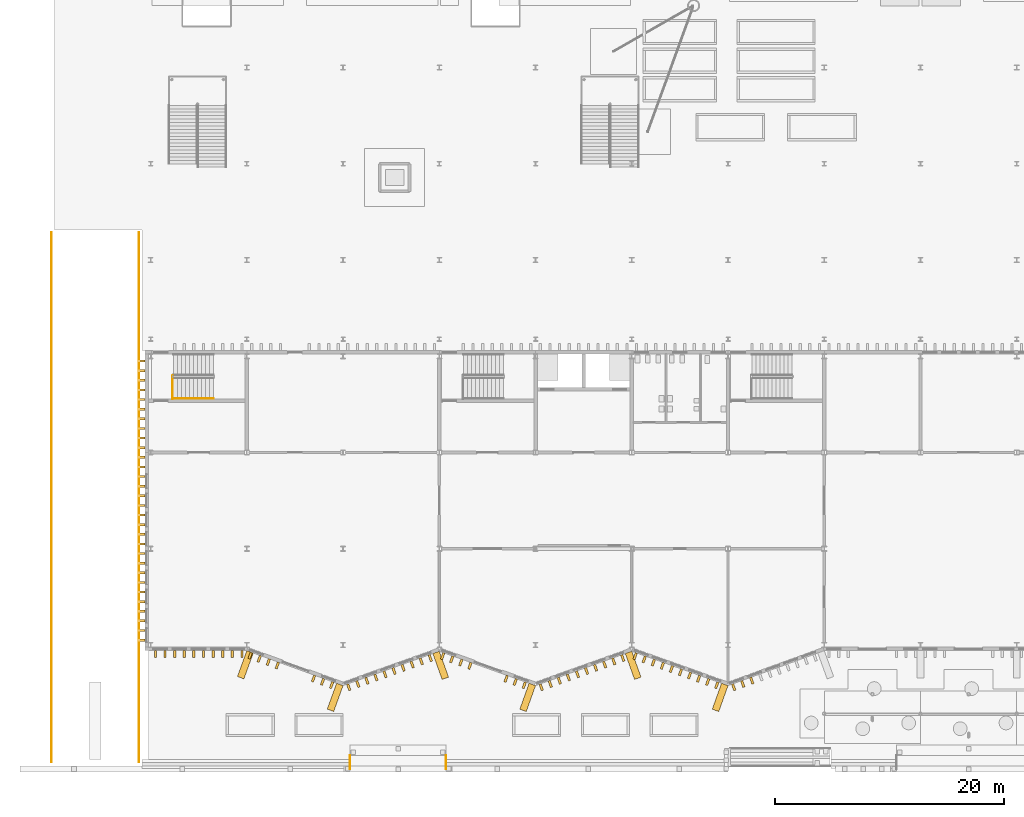
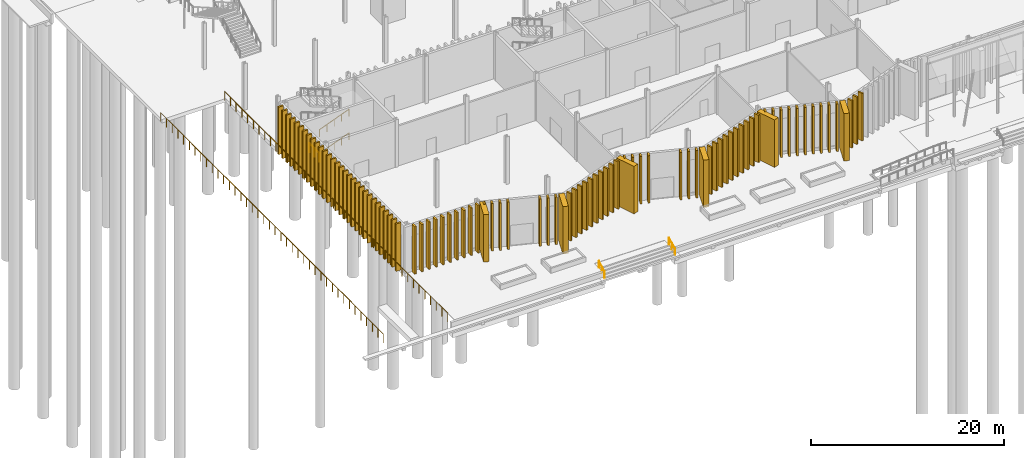
# One storey, part 86 of 108: 93 coverings, 7 railings.
"""IFC4 building model written with IfcOpenShell, lengths in metres."""

import ifcopenshell
import ifcopenshell.guid

model = None  # the IFC model being written
_history = None  # IfcOwnerHistory: only IFC2X3 demands one
_inside = {}  # id of a spatial element -> (the spatial element, [elements in it])
_under = {}  # id of a project, library or spatial element -> (it, [spatial elements below it])
_declared = {}  # id of a project -> (the project, [libraries it declares])
_typed = {}  # id of a type object -> (the type object, [elements of that type])
_made_of = {}  # id of a material, layer set ... -> (it, [elements and type objects made of it])


def new_model(schema):
    """Start an empty IFC model of exactly this schema.

    Asked for "IFC4X3", IfcOpenShell would pick the latest addendum, in which some entities
    have other attributes; the version numbers below select the first issue.
    IFC2X3 requires an IfcOwnerHistory on every rooted entity: one is made here for all.
    """
    global model, _history
    if schema == "IFC4X3":
        model = ifcopenshell.file(schema_version=(4, 3, 0, 0))
    else:
        model = ifcopenshell.file(schema=schema)
    _inside.clear()
    _under.clear()
    _declared.clear()
    _typed.clear()
    _made_of.clear()
    _history = None
    if model.schema == "IFC2X3":
        org = make("IfcOrganization", Name="unknown")
        user = make(
            "IfcPersonAndOrganization",
            ThePerson=make("IfcPerson", FamilyName="unknown"),
            TheOrganization=org,
        )
        app = make(
            "IfcApplication",
            ApplicationDeveloper=org,
            Version="unknown",
            ApplicationFullName="unknown",
            ApplicationIdentifier="unknown",
        )
        _history = make(
            "IfcOwnerHistory",
            OwningUser=user,
            OwningApplication=app,
            ChangeAction="ADDED",
            CreationDate=0,
        )
    return model


def make(cls, **values):
    """One entity of the class cls with the attributes given. An attribute that is None is left unset."""
    return model.create_entity(
        cls, **{name: value for name, value in values.items() if value is not None}
    )


def rooted(cls, **values):
    """An entity with a GlobalId (a new one), such as an element, a storey or a relation."""
    return make(cls, GlobalId=ifcopenshell.guid.new(), OwnerHistory=_history, **values)


def si_unit(unit_type, name, prefix=None):
    """IfcSIUnit, for example si_unit("LENGTHUNIT", "METRE", prefix="MILLI")."""
    return make("IfcSIUnit", UnitType=unit_type, Prefix=prefix, Name=name)


def assignment(units):
    """IfcUnitAssignment: the units of a project."""
    return None if units is None else make("IfcUnitAssignment", Units=units)


def point(xyz):
    """IfcCartesianPoint."""
    return None if xyz is None else make("IfcCartesianPoint", Coordinates=xyz)


def direction(xyz):
    """IfcDirection."""
    return None if xyz is None else make("IfcDirection", DirectionRatios=xyz)


def frame(location, z_axis=None, x_axis=None):
    """IfcAxis2Placement3D, a coordinate frame: its origin and axes. An axis left out is left unset."""
    return make(
        "IfcAxis2Placement3D",
        Location=point(location),
        Axis=direction(z_axis),
        RefDirection=direction(x_axis),
    )


def frame_2d(location, x_axis=None):
    """IfcAxis2Placement2D, a coordinate frame in the plane: its origin and x axis."""
    return make(
        "IfcAxis2Placement2D", Location=point(location), RefDirection=direction(x_axis)
    )


def origin():
    """The frame at (0, 0, 0) with its axes left unset."""
    return frame((0.0, 0.0, 0.0))


def origin_2d():
    """The frame at (0, 0) in the plane with its x axis left unset."""
    return frame_2d((0.0, 0.0))


def place(relative_to, where):
    """IfcLocalPlacement: puts the frame where relative to a parent placement (None: the world)."""
    return make(
        "IfcLocalPlacement", PlacementRelTo=relative_to, RelativePlacement=where
    )


def context(
    kind, dimensions, precision=None, world=None, true_north=None, identifier=None
):
    """IfcGeometricRepresentationContext, for example the 3D "Model" context."""
    return make(
        "IfcGeometricRepresentationContext",
        ContextIdentifier=identifier,
        ContextType=kind,
        CoordinateSpaceDimension=dimensions,
        Precision=precision,
        WorldCoordinateSystem=world,
        TrueNorth=true_north,
    )


def subcontext(parent, identifier, kind, view, scale=None):
    """IfcGeometricRepresentationSubContext, for example "Body" below "Model"."""
    return make(
        "IfcGeometricRepresentationSubContext",
        ContextIdentifier=identifier,
        ContextType=kind,
        ParentContext=parent,
        TargetScale=scale,
        TargetView=view,
    )


def project(units=None, contexts=None):
    """IfcProject with its units and contexts."""
    return rooted(
        "IfcProject",
        Name="project",
        RepresentationContexts=contexts,
        UnitsInContext=assignment(units),
    )


def spatial(cls, under=None, at=None, **own):
    """A site, building, storey or space (cls), placed at a placement, below another one or the project."""
    s = rooted(cls, ObjectPlacement=at, **own)
    if under is not None:
        _under.setdefault(under.id(), (under, []))[1].append(s)
    return s


def profile(cls, at=None, kind="AREA", **sizes):
    """A parametric profile (cls). Its sizes go by their IFC names, for example OverallWidth=200.0."""
    return make(cls, ProfileType=kind, Position=at, **sizes)


def rectangle(**sizes):
    """IfcRectangleProfileDef."""
    return profile("IfcRectangleProfileDef", **sizes)


def circle(**sizes):
    """IfcCircleProfileDef."""
    return profile("IfcCircleProfileDef", **sizes)


def extrude(swept, where, along, depth):
    """IfcExtrudedAreaSolid: the profile swept, set in the frame where, extruded along a direction by depth."""
    return make(
        "IfcExtrudedAreaSolid",
        SweptArea=swept,
        Position=where,
        ExtrudedDirection=direction(along),
        Depth=depth,
    )


def shape(context_of_items, identifier, shape_type, items):
    """IfcShapeRepresentation: the items that make up one representation, for example the "Body"."""
    return make(
        "IfcShapeRepresentation",
        ContextOfItems=context_of_items,
        RepresentationIdentifier=identifier,
        RepresentationType=shape_type,
        Items=items,
    )


def material(Name=None, Category=None):
    """IfcMaterial."""
    return make("IfcMaterial", Name=Name, Category=Category)


def made_of(thing, what):
    """Note that an element or type object is made of a material, layer set ...; save() writes the relation."""
    if what is not None:
        _made_of.setdefault(what.id(), (what, []))[1].append(thing)
    return thing


def type_object(cls, material=None, **own):
    """A type object (cls), such as IfcWallType, which elements share."""
    return made_of(rooted(cls, **own), material)


def element(
    cls,
    number,
    at=None,
    inside=None,
    cuts=None,
    type_object=None,
    material=None,
    context=None,
    identifier="Body",
    shape_type=None,
    held_by="IfcProductDefinitionShape",
    body=None,
    shapes=None,
    **own,
):
    """One element of the class cls, such as IfcWall. Its Tag is "e" and its number.

    at: its placement. inside: the storey or other place that contains it. cuts: it is an
    opening in that element (IfcRelVoidsElement). A single representation is given by context,
    identifier, shape_type and body (its items); several are given by shapes. held_by: the class
    of the entity that holds the representations. save() writes the other relations.
    """
    e = rooted(cls, Tag="e%d" % number, ObjectPlacement=at, **own)
    if body is not None:
        shapes = [shape(context, identifier, shape_type, body)]
    if shapes is not None:
        e.Representation = make(held_by, Representations=shapes)
    if inside is not None:
        _inside.setdefault(inside.id(), (inside, []))[1].append(e)
    if cuts is not None:
        rooted(
            "IfcRelVoidsElement", RelatingBuildingElement=cuts, RelatedOpeningElement=e
        )
    if type_object is not None:
        _typed.setdefault(type_object.id(), (type_object, []))[1].append(e)
    return made_of(e, material)


def aggregate(whole, parts):
    """IfcRelAggregates: a whole, such as a stair, and the parts it consists of."""
    return rooted("IfcRelAggregates", RelatingObject=whole, RelatedObjects=parts)


def save(model, path):
    """Write the relations noted so far, then the file.

    IfcRelAggregates (storeys below a building ...), IfcRelContainedInSpatialStructure (elements
    in a storey), IfcRelDefinesByType, IfcRelAssociatesMaterial and IfcRelDeclares: one each for
    every whole, place, type object, material and project.
    """
    for whole, parts in _under.values():
        aggregate(whole, parts)
    for where, things in _inside.values():
        rooted(
            "IfcRelContainedInSpatialStructure",
            RelatedElements=things,
            RelatingStructure=where,
        )
    for kind, things in _typed.values():
        rooted("IfcRelDefinesByType", RelatedObjects=things, RelatingType=kind)
    for what, things in _made_of.values():
        rooted("IfcRelAssociatesMaterial", RelatedObjects=things, RelatingMaterial=what)
    for by, libraries in _declared.values():
        rooted("IfcRelDeclares", RelatingContext=by, RelatedDefinitions=libraries)
    model.write(path)


model = new_model("IFC4")

# Units and contexts
model_context = context("Model", 3, precision=1e-05, world=origin(), true_north=direction((0.0, 1.0)))
body_context = subcontext(model_context, "Body", "Model", "MODEL_VIEW")
ifc_project = project(units=[si_unit("LENGTHUNIT", "METRE"), si_unit("AREAUNIT", "SQUARE_METRE"), si_unit("VOLUMEUNIT", "CUBIC_METRE"), si_unit("PLANEANGLEUNIT", "RADIAN"), si_unit("MASSUNIT", "GRAM", prefix="KILO")], contexts=[model_context])

# Site, building, storey
site_placement = place(None, origin())
site = spatial("IfcSite", under=ifc_project, at=site_placement, CompositionType="ELEMENT")
building_placement = place(site_placement, origin())
building = spatial("IfcBuilding", under=site, at=building_placement, Name="Cresset Court Congress Hotel", CompositionType="ELEMENT")
storey_placement = place(building_placement, origin())
storey = spatial("IfcBuildingStorey", under=building, at=storey_placement, Name="L00", CompositionType="ELEMENT", Elevation=0.0)

# Railings
ifc_material_1 = material(Name="Steel and laminated glass", Category="steel")
railing_type_1 = type_object("IfcRailingType", Name="Guard 1100 steel and glass", PredefinedType="GUARDRAIL", material=ifc_material_1)
railing_1_placement = place(storey_placement, frame((10.330078125, 21.449951171875, 0.0)))
element("IfcRailing", 1, at=railing_1_placement, inside=storey, type_object=railing_type_1, Name="L00 ST-B1 stair guard 9", PredefinedType="GUARDRAIL", context=body_context, shape_type="SweptSolid", body=[
    extrude(circle(Radius=0.02392578125, at=origin_2d()), frame((0.0, 0.0, 1.076171875), z_axis=(0.0, 1.0, 0.0), x_axis=(-1.0, 0.0, 0.0)), (0.0, 0.0, 1.0), 2.050048828125),
    extrude(circle(Radius=0.02099609375, at=origin_2d()), origin(), (0.0, 0.0, 1.0), 1.052001953125),
    extrude(circle(Radius=0.02099609375, at=origin_2d()), frame((0.0, 1.02490234375, 0.0)), (0.0, 0.0, 1.0), 1.052001953125),
    extrude(circle(Radius=0.02099609375, at=origin_2d()), frame((0.0, 2.050048828125, 0.0)), (0.0, 0.0, 1.0), 1.052001953125),
])
ifc_material_2 = material(Name="Galvanised steel", Category="steel")
railing_type_2 = type_object("IfcRailingType", Name="Guard 1100 steel balusters", PredefinedType="GUARDRAIL", material=ifc_material_2)
railing_2_placement = place(storey_placement, frame((-0.25, -10.199951171875, 0.0)))
element("IfcRailing", 2, at=railing_2_placement, inside=storey, type_object=railing_type_2, Name="Trench guard W", PredefinedType="GUARDRAIL", context=body_context, shape_type="SweptSolid", body=[
    extrude(circle(Radius=0.02490234375, at=origin_2d()), frame((0.0, 0.0, 1.0751953125), z_axis=(0.0, 1.0, 0.0), x_axis=(-1.0, 0.0, 0.0)), (0.0, 0.0, 1.0), 46.199951171875),
    extrude(circle(Radius=0.02001953125, at=origin_2d()), origin(), (0.0, 0.0, 1.0), 1.050048828125),
    extrude(circle(Radius=0.02001953125, at=origin_2d()), frame((0.0, 1.1845703125, 0.0)), (0.0, 0.0, 1.0), 1.050048828125),
    extrude(circle(Radius=0.02001953125, at=origin_2d()), frame((0.0, 2.369140625, 0.0)), (0.0, 0.0, 1.0), 1.050048828125),
    extrude(circle(Radius=0.02001953125, at=origin_2d()), frame((0.0, 3.553955078125, 0.0)), (0.0, 0.0, 1.0), 1.050048828125),
    extrude(circle(Radius=0.02001953125, at=origin_2d()), frame((0.0, 4.738525390625, 0.0)), (0.0, 0.0, 1.0), 1.050048828125),
    extrude(circle(Radius=0.02001953125, at=origin_2d()), frame((0.0, 5.923095703125, 0.0)), (0.0, 0.0, 1.0), 1.050048828125),
    extrude(circle(Radius=0.02001953125, at=origin_2d()), frame((0.0, 7.107666015625, 0.0)), (0.0, 0.0, 1.0), 1.050048828125),
    extrude(circle(Radius=0.02001953125, at=origin_2d()), frame((0.0, 8.292236328125, 0.0)), (0.0, 0.0, 1.0), 1.050048828125),
    extrude(circle(Radius=0.02001953125, at=origin_2d()), frame((0.0, 9.476806640625, 0.0)), (0.0, 0.0, 1.0), 1.050048828125),
    extrude(circle(Radius=0.02001953125, at=origin_2d()), frame((0.0, 10.66162109375, 0.0)), (0.0, 0.0, 1.0), 1.050048828125),
    extrude(circle(Radius=0.02001953125, at=origin_2d()), frame((0.0, 11.84619140625, 0.0)), (0.0, 0.0, 1.0), 1.050048828125),
    extrude(circle(Radius=0.02001953125, at=origin_2d()), frame((0.0, 13.03076171875, 0.0)), (0.0, 0.0, 1.0), 1.050048828125),
    extrude(circle(Radius=0.02001953125, at=origin_2d()), frame((0.0, 14.21533203125, 0.0)), (0.0, 0.0, 1.0), 1.050048828125),
    extrude(circle(Radius=0.02001953125, at=origin_2d()), frame((0.0, 15.39990234375, 0.0)), (0.0, 0.0, 1.0), 1.050048828125),
    extrude(circle(Radius=0.02001953125, at=origin_2d()), frame((0.0, 16.584716796875, 0.0)), (0.0, 0.0, 1.0), 1.050048828125),
    extrude(circle(Radius=0.02001953125, at=origin_2d()), frame((0.0, 17.769287109375, 0.0)), (0.0, 0.0, 1.0), 1.050048828125),
    extrude(circle(Radius=0.02001953125, at=origin_2d()), frame((0.0, 18.953857421875, 0.0)), (0.0, 0.0, 1.0), 1.050048828125),
    extrude(circle(Radius=0.02001953125, at=origin_2d()), frame((0.0, 20.138427734375, 0.0)), (0.0, 0.0, 1.0), 1.050048828125),
    extrude(circle(Radius=0.02001953125, at=origin_2d()), frame((0.0, 21.322998046875, 0.0)), (0.0, 0.0, 1.0), 1.050048828125),
    extrude(circle(Radius=0.02001953125, at=origin_2d()), frame((0.0, 22.507568359375, 0.0)), (0.0, 0.0, 1.0), 1.050048828125),
    extrude(circle(Radius=0.02001953125, at=origin_2d()), frame((0.0, 23.6923828125, 0.0)), (0.0, 0.0, 1.0), 1.050048828125),
    extrude(circle(Radius=0.02001953125, at=origin_2d()), frame((0.0, 24.876953125, 0.0)), (0.0, 0.0, 1.0), 1.050048828125),
    extrude(circle(Radius=0.02001953125, at=origin_2d()), frame((0.0, 26.0615234375, 0.0)), (0.0, 0.0, 1.0), 1.050048828125),
    extrude(circle(Radius=0.02001953125, at=origin_2d()), frame((0.0, 27.24609375, 0.0)), (0.0, 0.0, 1.0), 1.050048828125),
    extrude(circle(Radius=0.02001953125, at=origin_2d()), frame((0.0, 28.4306640625, 0.0)), (0.0, 0.0, 1.0), 1.050048828125),
    extrude(circle(Radius=0.02001953125, at=origin_2d()), frame((0.0, 29.615234375, 0.0)), (0.0, 0.0, 1.0), 1.050048828125),
    extrude(circle(Radius=0.02001953125, at=origin_2d()), frame((0.0, 30.800048828125, 0.0)), (0.0, 0.0, 1.0), 1.050048828125),
    extrude(circle(Radius=0.02001953125, at=origin_2d()), frame((0.0, 31.984619140625, 0.0)), (0.0, 0.0, 1.0), 1.050048828125),
    extrude(circle(Radius=0.02001953125, at=origin_2d()), frame((0.0, 33.169189453125, 0.0)), (0.0, 0.0, 1.0), 1.050048828125),
    extrude(circle(Radius=0.02001953125, at=origin_2d()), frame((0.0, 34.353759765625, 0.0)), (0.0, 0.0, 1.0), 1.050048828125),
    extrude(circle(Radius=0.02001953125, at=origin_2d()), frame((0.0, 35.538330078125, 0.0)), (0.0, 0.0, 1.0), 1.050048828125),
    extrude(circle(Radius=0.02001953125, at=origin_2d()), frame((0.0, 36.72314453125, 0.0)), (0.0, 0.0, 1.0), 1.050048828125),
    extrude(circle(Radius=0.02001953125, at=origin_2d()), frame((0.0, 37.90771484375, 0.0)), (0.0, 0.0, 1.0), 1.050048828125),
    extrude(circle(Radius=0.02001953125, at=origin_2d()), frame((0.0, 39.09228515625, 0.0)), (0.0, 0.0, 1.0), 1.050048828125),
    extrude(circle(Radius=0.02001953125, at=origin_2d()), frame((0.0, 40.27685546875, 0.0)), (0.0, 0.0, 1.0), 1.050048828125),
    extrude(circle(Radius=0.02001953125, at=origin_2d()), frame((0.0, 41.46142578125, 0.0)), (0.0, 0.0, 1.0), 1.050048828125),
    extrude(circle(Radius=0.02001953125, at=origin_2d()), frame((0.0, 42.64599609375, 0.0)), (0.0, 0.0, 1.0), 1.050048828125),
    extrude(circle(Radius=0.02001953125, at=origin_2d()), frame((0.0, 43.830810546875, 0.0)), (0.0, 0.0, 1.0), 1.050048828125),
    extrude(circle(Radius=0.02001953125, at=origin_2d()), frame((0.0, 45.015380859375, 0.0)), (0.0, 0.0, 1.0), 1.050048828125),
    extrude(circle(Radius=0.02001953125, at=origin_2d()), frame((0.0, 46.199951171875, 0.0)), (0.0, 0.0, 1.0), 1.050048828125),
])
railing_3_placement = place(storey_placement, frame((7.39990234375, -10.199951171875, 0.0)))
element("IfcRailing", 3, at=railing_3_placement, inside=storey, type_object=railing_type_2, Name="Trench guard E", PredefinedType="GUARDRAIL", context=body_context, shape_type="SweptSolid", body=[
    extrude(circle(Radius=0.02490234375, at=origin_2d()), frame((0.0, 0.0, 1.0751953125), z_axis=(0.0, 1.0, 0.0), x_axis=(-1.0, 0.0, 0.0)), (0.0, 0.0, 1.0), 46.199951171875),
    extrude(circle(Radius=0.02001953125, at=origin_2d()), origin(), (0.0, 0.0, 1.0), 1.050048828125),
    extrude(circle(Radius=0.02001953125, at=origin_2d()), frame((0.0, 1.1845703125, 0.0)), (0.0, 0.0, 1.0), 1.050048828125),
    extrude(circle(Radius=0.02001953125, at=origin_2d()), frame((0.0, 2.369140625, 0.0)), (0.0, 0.0, 1.0), 1.050048828125),
    extrude(circle(Radius=0.02001953125, at=origin_2d()), frame((0.0, 3.553955078125, 0.0)), (0.0, 0.0, 1.0), 1.050048828125),
    extrude(circle(Radius=0.02001953125, at=origin_2d()), frame((0.0, 4.738525390625, 0.0)), (0.0, 0.0, 1.0), 1.050048828125),
    extrude(circle(Radius=0.02001953125, at=origin_2d()), frame((0.0, 5.923095703125, 0.0)), (0.0, 0.0, 1.0), 1.050048828125),
    extrude(circle(Radius=0.02001953125, at=origin_2d()), frame((0.0, 7.107666015625, 0.0)), (0.0, 0.0, 1.0), 1.050048828125),
    extrude(circle(Radius=0.02001953125, at=origin_2d()), frame((0.0, 8.292236328125, 0.0)), (0.0, 0.0, 1.0), 1.050048828125),
    extrude(circle(Radius=0.02001953125, at=origin_2d()), frame((0.0, 9.476806640625, 0.0)), (0.0, 0.0, 1.0), 1.050048828125),
    extrude(circle(Radius=0.02001953125, at=origin_2d()), frame((0.0, 10.66162109375, 0.0)), (0.0, 0.0, 1.0), 1.050048828125),
    extrude(circle(Radius=0.02001953125, at=origin_2d()), frame((0.0, 11.84619140625, 0.0)), (0.0, 0.0, 1.0), 1.050048828125),
    extrude(circle(Radius=0.02001953125, at=origin_2d()), frame((0.0, 13.03076171875, 0.0)), (0.0, 0.0, 1.0), 1.050048828125),
    extrude(circle(Radius=0.02001953125, at=origin_2d()), frame((0.0, 14.21533203125, 0.0)), (0.0, 0.0, 1.0), 1.050048828125),
    extrude(circle(Radius=0.02001953125, at=origin_2d()), frame((0.0, 15.39990234375, 0.0)), (0.0, 0.0, 1.0), 1.050048828125),
    extrude(circle(Radius=0.02001953125, at=origin_2d()), frame((0.0, 16.584716796875, 0.0)), (0.0, 0.0, 1.0), 1.050048828125),
    extrude(circle(Radius=0.02001953125, at=origin_2d()), frame((0.0, 17.769287109375, 0.0)), (0.0, 0.0, 1.0), 1.050048828125),
    extrude(circle(Radius=0.02001953125, at=origin_2d()), frame((0.0, 18.953857421875, 0.0)), (0.0, 0.0, 1.0), 1.050048828125),
    extrude(circle(Radius=0.02001953125, at=origin_2d()), frame((0.0, 20.138427734375, 0.0)), (0.0, 0.0, 1.0), 1.050048828125),
    extrude(circle(Radius=0.02001953125, at=origin_2d()), frame((0.0, 21.322998046875, 0.0)), (0.0, 0.0, 1.0), 1.050048828125),
    extrude(circle(Radius=0.02001953125, at=origin_2d()), frame((0.0, 22.507568359375, 0.0)), (0.0, 0.0, 1.0), 1.050048828125),
    extrude(circle(Radius=0.02001953125, at=origin_2d()), frame((0.0, 23.6923828125, 0.0)), (0.0, 0.0, 1.0), 1.050048828125),
    extrude(circle(Radius=0.02001953125, at=origin_2d()), frame((0.0, 24.876953125, 0.0)), (0.0, 0.0, 1.0), 1.050048828125),
    extrude(circle(Radius=0.02001953125, at=origin_2d()), frame((0.0, 26.0615234375, 0.0)), (0.0, 0.0, 1.0), 1.050048828125),
    extrude(circle(Radius=0.02001953125, at=origin_2d()), frame((0.0, 27.24609375, 0.0)), (0.0, 0.0, 1.0), 1.050048828125),
    extrude(circle(Radius=0.02001953125, at=origin_2d()), frame((0.0, 28.4306640625, 0.0)), (0.0, 0.0, 1.0), 1.050048828125),
    extrude(circle(Radius=0.02001953125, at=origin_2d()), frame((0.0, 29.615234375, 0.0)), (0.0, 0.0, 1.0), 1.050048828125),
    extrude(circle(Radius=0.02001953125, at=origin_2d()), frame((0.0, 30.800048828125, 0.0)), (0.0, 0.0, 1.0), 1.050048828125),
    extrude(circle(Radius=0.02001953125, at=origin_2d()), frame((0.0, 31.984619140625, 0.0)), (0.0, 0.0, 1.0), 1.050048828125),
    extrude(circle(Radius=0.02001953125, at=origin_2d()), frame((0.0, 33.169189453125, 0.0)), (0.0, 0.0, 1.0), 1.050048828125),
    extrude(circle(Radius=0.02001953125, at=origin_2d()), frame((0.0, 34.353759765625, 0.0)), (0.0, 0.0, 1.0), 1.050048828125),
    extrude(circle(Radius=0.02001953125, at=origin_2d()), frame((0.0, 35.538330078125, 0.0)), (0.0, 0.0, 1.0), 1.050048828125),
    extrude(circle(Radius=0.02001953125, at=origin_2d()), frame((0.0, 36.72314453125, 0.0)), (0.0, 0.0, 1.0), 1.050048828125),
    extrude(circle(Radius=0.02001953125, at=origin_2d()), frame((0.0, 37.90771484375, 0.0)), (0.0, 0.0, 1.0), 1.050048828125),
    extrude(circle(Radius=0.02001953125, at=origin_2d()), frame((0.0, 39.09228515625, 0.0)), (0.0, 0.0, 1.0), 1.050048828125),
    extrude(circle(Radius=0.02001953125, at=origin_2d()), frame((0.0, 40.27685546875, 0.0)), (0.0, 0.0, 1.0), 1.050048828125),
    extrude(circle(Radius=0.02001953125, at=origin_2d()), frame((0.0, 41.46142578125, 0.0)), (0.0, 0.0, 1.0), 1.050048828125),
    extrude(circle(Radius=0.02001953125, at=origin_2d()), frame((0.0, 42.64599609375, 0.0)), (0.0, 0.0, 1.0), 1.050048828125),
    extrude(circle(Radius=0.02001953125, at=origin_2d()), frame((0.0, 43.830810546875, 0.0)), (0.0, 0.0, 1.0), 1.050048828125),
    extrude(circle(Radius=0.02001953125, at=origin_2d()), frame((0.0, 45.015380859375, 0.0)), (0.0, 0.0, 1.0), 1.050048828125),
    extrude(circle(Radius=0.02001953125, at=origin_2d()), frame((0.0, 46.199951171875, 0.0)), (0.0, 0.0, 1.0), 1.050048828125),
])
ifc_material_3 = material(Name="Stainless steel", Category="steel")
railing_type_3 = type_object("IfcRailingType", Name="Handrail 48 stainless", PredefinedType="HANDRAIL", material=ifc_material_3)
for number, where, name in (
    (4, (10.3798828125, 21.5, 0.136474609375), "L00 ST-B1 stair handrail 1"),
    (5, (10.3798828125, 21.5, 3.136474609375), "L00 ST-B1 stair handrail 3"),
):
    element("IfcRailing", number, at=place(storey_placement, frame(where)), inside=storey, type_object=railing_type_3, Name=name, PredefinedType="HANDRAIL", context=body_context, shape_type="SweptSolid", body=[
        extrude(circle(Radius=0.02392578125, at=origin_2d()), frame((0.0, 0.0, 0.8759765625), z_axis=(0.931787385211, 0.0, 0.3630045024), x_axis=(0.0, 1.0, 0.0)), (0.0, 0.0, 1.0), 3.756103515625),
        extrude(circle(Radius=0.02099609375, at=origin_2d()), origin(), (0.0, 0.0, 1.0), 0.851806640625),
        extrude(circle(Radius=0.02099609375, at=origin_2d()), frame((0.875, 0.0, 0.3408203125)), (0.0, 0.0, 1.0), 0.851806640625),
        extrude(circle(Radius=0.02099609375, at=origin_2d()), frame((1.75, 0.0, 0.681640625)), (0.0, 0.0, 1.0), 0.851806640625),
        extrude(circle(Radius=0.02099609375, at=origin_2d()), frame((2.625, 0.0, 1.022705078125)), (0.0, 0.0, 1.0), 0.851806640625),
        extrude(circle(Radius=0.02099609375, at=origin_2d()), frame((3.5, 0.0, 1.363525390625)), (0.0, 0.0, 1.0), 0.851806640625),
    ])
ifc_material_4 = material(Name="Stainless steel", Category="steel")
railing_type_4 = type_object("IfcRailingType", Name="Handrail 900 steel", PredefinedType="HANDRAIL", material=ifc_material_4)
for number, where, name in (
    (6, (25.800048828125, -10.85009765625, -0.60009765625), "Handrail S01L"),
    (7, (34.199951171875, -10.85009765625, -0.60009765625), "Handrail S01R"),
):
    element("IfcRailing", number, at=place(storey_placement, frame(where)), inside=storey, type_object=railing_type_4, Name=name, PredefinedType="HANDRAIL", context=body_context, shape_type="SweptSolid", body=[
        extrude(circle(Radius=0.02490234375, at=origin_2d()), frame((0.0, 0.0, 0.875), z_axis=(0.0, 0.894427191, 0.4472135955), x_axis=(-1.0, 0.0, 0.0)), (0.0, 0.0, 1.0), 1.341796875),
        extrude(circle(Radius=0.02001953125, at=origin_2d()), origin(), (0.0, 0.0, 1.0), 0.849853515625),
        extrude(circle(Radius=0.02001953125, at=origin_2d()), frame((0.0, 0.60009765625, 0.300048828125)), (0.0, 0.0, 1.0), 0.849853515625),
        extrude(circle(Radius=0.02001953125, at=origin_2d()), frame((0.0, 1.2001953125, 0.60009765625)), (0.0, 0.0, 1.0), 0.849853515625),
    ])

# Coverings
ifc_material_5 = material(Name="Precast concrete C50", Category="concrete")
covering_type_1 = type_object("IfcCoveringType", Name="Precast stone fin 200x600 variant 1", PredefinedType="CLADDING", material=ifc_material_5)
for number, where, z_axis, x_axis, name in (
    (8, (17.09228515625, -0.92529296875, 0.0), (0.0, 0.0, 1.0), (0.939956783309, -0.341293488819, 0.0), "Fin S00-010"),
    (9, (17.8818359375, -1.2119140625, 0.0), (0.0, 0.0, 1.0), (0.939956783309, -0.341293488819, 0.0), "Fin S00-011"),
    (10, (18.671630859375, -1.498779296875, 0.0), (0.0, 0.0, 1.0), (0.939956783309, -0.341293488819, 0.0), "Fin S00-012"),
    (11, (19.461181640625, -1.785400390625, 0.0), (0.0, 0.0, 1.0), (0.939956783309, -0.341293488819, 0.0), "Fin S00-013"),
    (12, (22.619384765625, -2.93212890625, 0.0), (0.0, 0.0, 1.0), (0.939956783309, -0.341293488819, 0.0), "Fin S00-017"),
    (13, (23.408935546875, -3.21875, 0.0), (0.0, 0.0, 1.0), (0.939956783309, -0.341293488819, 0.0), "Fin S00-018"),
    (14, (24.198486328125, -3.505615234375, 0.0), (0.0, 0.0, 1.0), (0.939956783309, -0.341293488819, 0.0), "Fin S00-019"),
    (15, (25.696533203125, -3.691162109375, 0.0), (0.0, 0.0, 1.0), (0.94174205282, 0.336336001568, 0.0), "Fin S00-020"),
    (16, (26.487548828125, -3.40869140625, 0.0), (0.0, 0.0, 1.0), (0.94174205282, 0.336336001568, 0.0), "Fin S00-021"),
    (17, (27.278564453125, -3.126220703125, 0.0), (0.0, 0.0, 1.0), (0.94174205282, 0.336336001568, 0.0), "Fin S00-022"),
    (18, (28.069580078125, -2.84375, 0.0), (0.0, 0.0, 1.0), (0.94174205282, 0.336336001568, 0.0), "Fin S00-023"),
    (19, (28.860595703125, -2.561279296875, 0.0), (0.0, 0.0, 1.0), (0.94174205282, 0.336336001568, 0.0), "Fin S00-024"),
    (20, (29.65185546875, -2.278564453125, 0.0), (0.0, 0.0, 1.0), (0.94174205282, 0.336336001568, 0.0), "Fin S00-025"),
    (21, (30.44287109375, -1.99609375, 0.0), (0.0, 0.0, 1.0), (0.94174205282, 0.336336001568, 0.0), "Fin S00-026"),
    (22, (31.23388671875, -1.713623046875, 0.0), (0.0, 0.0, 1.0), (0.94174205282, 0.336336001568, 0.0), "Fin S00-027"),
    (23, (32.02490234375, -1.43115234375, 0.0), (0.0, 0.0, 1.0), (0.94174205282, 0.336336001568, 0.0), "Fin S00-028"),
    (24, (32.81591796875, -1.1484375, 0.0), (0.0, 0.0, 1.0), (0.94174205282, 0.336336001568, 0.0), "Fin S00-029"),
    (25, (33.89453125, -0.973876953125, 0.0), (0.0, 0.0, 1.0), (0.94174205282, -0.336336001568, 0.0), "Fin S00-030"),
    (26, (34.685791015625, -1.25634765625, 0.0), (0.0, 0.0, 1.0), (0.94174205282, -0.336336001568, 0.0), "Fin S00-031"),
    (27, (35.476806640625, -1.538818359375, 0.0), (0.0, 0.0, 1.0), (0.94174205282, -0.336336001568, 0.0), "Fin S00-032"),
    (28, (36.267822265625, -1.8212890625, 0.0), (0.0, 0.0, 1.0), (0.94174205282, -0.336336001568, 0.0), "Fin S00-033"),
    (29, (39.43212890625, -2.951416015625, 0.0), (0.0, 0.0, 1.0), (0.94174205282, -0.336336001568, 0.0), "Fin S00-037"),
    (30, (40.22314453125, -3.23388671875, 0.0), (0.0, 0.0, 1.0), (0.94174205282, -0.336336001568, 0.0), "Fin S00-038"),
    (31, (41.01416015625, -3.5166015625, 0.0), (0.0, 0.0, 1.0), (0.94174205282, -0.336336001568, 0.0), "Fin S00-039"),
    (32, (42.496337890625, -3.691162109375, 0.0), (0.0, 0.0, 1.0), (0.94174205282, 0.336336001568, 0.0), "Fin S00-040"),
    (33, (43.28759765625, -3.40869140625, 0.0), (0.0, 0.0, 1.0), (0.94174205282, 0.336336001568, 0.0), "Fin S00-041"),
    (34, (44.07861328125, -3.126220703125, 0.0), (0.0, 0.0, 1.0), (0.94174205282, 0.336336001568, 0.0), "Fin S00-042"),
    (35, (44.86962890625, -2.84375, 0.0), (0.0, 0.0, 1.0), (0.94174205282, 0.336336001568, 0.0), "Fin S00-043"),
    (36, (45.66064453125, -2.561279296875, 0.0), (0.0, 0.0, 1.0), (0.94174205282, 0.336336001568, 0.0), "Fin S00-044"),
    (37, (46.45166015625, -2.278564453125, 0.0), (0.0, 0.0, 1.0), (0.94174205282, 0.336336001568, 0.0), "Fin S00-045"),
    (38, (47.242919921875, -1.99609375, 0.0), (0.0, 0.0, 1.0), (0.94174205282, 0.336336001568, 0.0), "Fin S00-046"),
    (39, (48.033935546875, -1.713623046875, 0.0), (0.0, 0.0, 1.0), (0.94174205282, 0.336336001568, 0.0), "Fin S00-047"),
    (40, (48.824951171875, -1.43115234375, 0.0), (0.0, 0.0, 1.0), (0.94174205282, 0.336336001568, 0.0), "Fin S00-048"),
    (41, (49.615966796875, -1.1484375, 0.0), (0.0, 0.0, 1.0), (0.94174205282, 0.336336001568, 0.0), "Fin S00-049"),
    (42, (50.694580078125, -0.973876953125, 0.0), (0.0, 0.0, 1.0), (0.94174205282, -0.336336001568, 0.0), "Fin S00-050"),
    (43, (51.485595703125, -1.25634765625, 0.0), (0.0, 0.0, 1.0), (0.94174205282, -0.336336001568, 0.0), "Fin S00-051"),
    (44, (52.27685546875, -1.538818359375, 0.0), (0.0, 0.0, 1.0), (0.94174205282, -0.336336001568, 0.0), "Fin S00-052"),
    (45, (53.06787109375, -1.8212890625, 0.0), (0.0, 0.0, 1.0), (0.94174205282, -0.336336001568, 0.0), "Fin S00-053"),
    (46, (53.85888671875, -2.103759765625, 0.0), (0.0, 0.0, 1.0), (0.94174205282, -0.336336001568, 0.0), "Fin S00-054"),
    (47, (54.64990234375, -2.386474609375, 0.0), (0.0, 0.0, 1.0), (0.94174205282, -0.336336001568, 0.0), "Fin S00-055"),
    (48, (55.44091796875, -2.6689453125, 0.0), (0.0, 0.0, 1.0), (0.94174205282, -0.336336001568, 0.0), "Fin S00-056"),
    (49, (56.232177734375, -2.951416015625, 0.0), (0.0, 0.0, 1.0), (0.94174205282, -0.336336001568, 0.0), "Fin S00-057"),
    (50, (57.023193359375, -3.23388671875, 0.0), (0.0, 0.0, 1.0), (0.94174205282, -0.336336001568, 0.0), "Fin S00-058"),
    (51, (57.814208984375, -3.5166015625, 0.0), (0.0, 0.0, 1.0), (0.94174205282, -0.336336001568, 0.0), "Fin S00-059"),
    (52, (59.297119140625, -3.688720703125, 0.0), (0.0, 0.0, 1.0), (0.939956783309, 0.341293488819, 0.0), "Fin S00-060"),
    (53, (60.086669921875, -3.40185546875, 0.0), (0.0, 0.0, 1.0), (0.939956783309, 0.341293488819, 0.0), "Fin S00-061"),
    (54, (60.876220703125, -3.115234375, 0.0), (0.0, 0.0, 1.0), (0.939956783309, 0.341293488819, 0.0), "Fin S00-062"),
    (55, (8.820068359375, -0.800048828125, 0.0), (0.0, 0.0, 1.0), (1.0, 0.0, 0.0), "Fin S00-000"),
    (56, (9.659912109375, -0.800048828125, 0.0), (0.0, 0.0, 1.0), (1.0, 0.0, 0.0), "Fin S00-001"),
    (57, (10.5, -0.800048828125, 0.0), (0.0, 0.0, 1.0), (1.0, 0.0, 0.0), "Fin S00-002"),
    (58, (11.340087890625, -0.800048828125, 0.0), (0.0, 0.0, 1.0), (1.0, 0.0, 0.0), "Fin S00-003"),
    (59, (12.179931640625, -0.800048828125, 0.0), (0.0, 0.0, 1.0), (1.0, 0.0, 0.0), "Fin S00-004"),
    (60, (13.02001953125, -0.800048828125, 0.0), (0.0, 0.0, 1.0), (1.0, 0.0, 0.0), "Fin S00-005"),
    (61, (13.860107421875, -0.800048828125, 0.0), (0.0, 0.0, 1.0), (1.0, 0.0, 0.0), "Fin S00-006"),
    (62, (14.699951171875, -0.800048828125, 0.0), (0.0, 0.0, 1.0), (1.0, 0.0, 0.0), "Fin S00-007"),
    (63, (15.5400390625, -0.800048828125, 0.0), (0.0, 0.0, 1.0), (1.0, 0.0, 0.0), "Fin S00-008"),
    (64, (16.3798828125, -0.800048828125, 0.0), (0.0, 0.0, 1.0), (1.0, 0.0, 0.0), "Fin S00-009"),
):
    element("IfcCovering", number, at=place(storey_placement, frame(where, z_axis=z_axis, x_axis=x_axis)), inside=storey, type_object=covering_type_1, Name=name, PredefinedType="CLADDING", context=body_context, shape_type="SweptSolid", body=[
        extrude(rectangle(XDim=0.199951171875, YDim=0.60009765625, at=origin_2d()), origin(), (0.0, 0.0, 1.0), 6.0),
    ])
for number, where, z_axis, x_axis, name in (
    (65, (7.60009765625, 0.419921875, 0.0), (0.0, 0.0, 1.0), (1.0, 0.0, 0.0), "Fin W00-000"),
    (66, (7.60009765625, 1.260009765625, 0.0), (0.0, 0.0, 1.0), (1.0, 0.0, 0.0), "Fin W00-001"),
    (67, (7.60009765625, 2.10009765625, 0.0), (0.0, 0.0, 1.0), (1.0, 0.0, 0.0), "Fin W00-002"),
    (68, (7.60009765625, 2.93994140625, 0.0), (0.0, 0.0, 1.0), (1.0, 0.0, 0.0), "Fin W00-003"),
    (69, (7.60009765625, 3.780029296875, 0.0), (0.0, 0.0, 1.0), (1.0, 0.0, 0.0), "Fin W00-004"),
    (70, (7.60009765625, 4.6201171875, 0.0), (0.0, 0.0, 1.0), (1.0, 0.0, 0.0), "Fin W00-005"),
    (71, (7.60009765625, 5.4599609375, 0.0), (0.0, 0.0, 1.0), (1.0, 0.0, 0.0), "Fin W00-006"),
    (72, (7.60009765625, 6.300048828125, 0.0), (0.0, 0.0, 1.0), (1.0, 0.0, 0.0), "Fin W00-007"),
    (73, (7.60009765625, 7.139892578125, 0.0), (0.0, 0.0, 1.0), (1.0, 0.0, 0.0), "Fin W00-008"),
    (74, (7.60009765625, 7.97998046875, 0.0), (0.0, 0.0, 1.0), (1.0, 0.0, 0.0), "Fin W00-009"),
    (75, (7.60009765625, 8.820068359375, 0.0), (0.0, 0.0, 1.0), (1.0, 0.0, 0.0), "Fin W00-010"),
    (76, (7.60009765625, 9.659912109375, 0.0), (0.0, 0.0, 1.0), (1.0, 0.0, 0.0), "Fin W00-011"),
    (77, (7.60009765625, 10.5, 0.0), (0.0, 0.0, 1.0), (1.0, 0.0, 0.0), "Fin W00-012"),
    (78, (7.60009765625, 11.340087890625, 0.0), (0.0, 0.0, 1.0), (1.0, 0.0, 0.0), "Fin W00-013"),
    (79, (7.60009765625, 12.179931640625, 0.0), (0.0, 0.0, 1.0), (1.0, 0.0, 0.0), "Fin W00-014"),
    (80, (7.60009765625, 13.02001953125, 0.0), (0.0, 0.0, 1.0), (1.0, 0.0, 0.0), "Fin W00-015"),
    (81, (7.60009765625, 13.860107421875, 0.0), (0.0, 0.0, 1.0), (1.0, 0.0, 0.0), "Fin W00-016"),
    (82, (7.60009765625, 14.699951171875, 0.0), (0.0, 0.0, 1.0), (1.0, 0.0, 0.0), "Fin W00-017"),
    (83, (7.60009765625, 15.5400390625, 0.0), (0.0, 0.0, 1.0), (1.0, 0.0, 0.0), "Fin W00-018"),
    (84, (7.60009765625, 16.3798828125, 0.0), (0.0, 0.0, 1.0), (1.0, 0.0, 0.0), "Fin W00-019"),
    (85, (7.60009765625, 17.219970703125, 0.0), (0.0, 0.0, 1.0), (1.0, 0.0, 0.0), "Fin W00-020"),
    (86, (7.60009765625, 18.06005859375, 0.0), (0.0, 0.0, 1.0), (1.0, 0.0, 0.0), "Fin W00-021"),
    (87, (7.60009765625, 18.89990234375, 0.0), (0.0, 0.0, 1.0), (1.0, 0.0, 0.0), "Fin W00-022"),
    (88, (7.60009765625, 19.739990234375, 0.0), (0.0, 0.0, 1.0), (1.0, 0.0, 0.0), "Fin W00-023"),
    (89, (7.60009765625, 20.580078125, 0.0), (0.0, 0.0, 1.0), (1.0, 0.0, 0.0), "Fin W00-024"),
    (90, (7.60009765625, 21.419921875, 0.0), (0.0, 0.0, 1.0), (1.0, 0.0, 0.0), "Fin W00-025"),
    (91, (7.60009765625, 22.260009765625, 0.0), (0.0, 0.0, 1.0), (1.0, 0.0, 0.0), "Fin W00-026"),
    (92, (7.60009765625, 23.10009765625, 0.0), (0.0, 0.0, 1.0), (1.0, 0.0, 0.0), "Fin W00-027"),
    (93, (7.60009765625, 23.93994140625, 0.0), (0.0, 0.0, 1.0), (1.0, 0.0, 0.0), "Fin W00-028"),
    (94, (7.60009765625, 24.780029296875, 0.0), (0.0, 0.0, 1.0), (1.0, 0.0, 0.0), "Fin W00-029"),
):
    element("IfcCovering", number, at=place(storey_placement, frame(where, z_axis=z_axis, x_axis=x_axis)), inside=storey, type_object=covering_type_1, Name=name, PredefinedType="CLADDING", context=body_context, shape_type="SweptSolid", body=[
        extrude(rectangle(XDim=0.60009765625, YDim=0.199951171875, at=origin_2d()), origin(), (0.0, 0.0, 1.0), 6.0),
    ])
ifc_material_6 = material(Name="Precast concrete C50", Category="concrete")
covering_type_2 = type_object("IfcCoveringType", Name="Precast stone pier 600x2400", PredefinedType="CLADDING", material=ifc_material_6)
for number, where, z_axis, x_axis, name in (
    (95, (24.508544921875, -4.575439453125, 0.0), (0.0, 0.0, 1.0), (0.939956783309, -0.341293488819, 0.0), "Pier S00-02"),
    (96, (16.67236328125, -1.730224609375, 0.0), (0.0, 0.0, 1.0), (0.939956783309, -0.341293488819, 0.0), "Pier S00-01"),
    (97, (33.72119140625, -1.781005859375, 0.0), (0.0, 0.0, 1.0), (0.94174205282, 0.336336001568, 0.0), "Pier S00-03"),
    (98, (41.31396484375, -4.5791015625, 0.0), (0.0, 0.0, 1.0), (0.94174205282, -0.336336001568, 0.0), "Pier S00-04"),
    (99, (50.52099609375, -1.781005859375, 0.0), (0.0, 0.0, 1.0), (0.94174205282, 0.336336001568, 0.0), "Pier S00-05"),
    (100, (58.11376953125, -4.5791015625, 0.0), (0.0, 0.0, 1.0), (0.94174205282, -0.336336001568, 0.0), "Pier S00-06"),
):
    element("IfcCovering", number, at=place(storey_placement, frame(where, z_axis=z_axis, x_axis=x_axis)), inside=storey, type_object=covering_type_2, Name=name, PredefinedType="CLADDING", context=body_context, shape_type="SweptSolid", body=[
        extrude(rectangle(XDim=0.60009765625, YDim=2.39990234375, at=origin_2d()), origin(), (0.0, 0.0, 1.0), 6.0),
    ])

save(model, "model.ifc")
